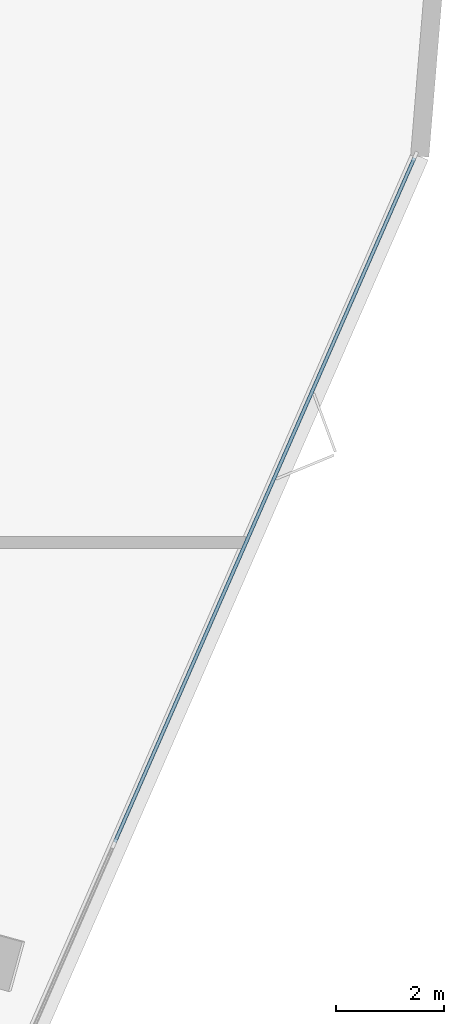
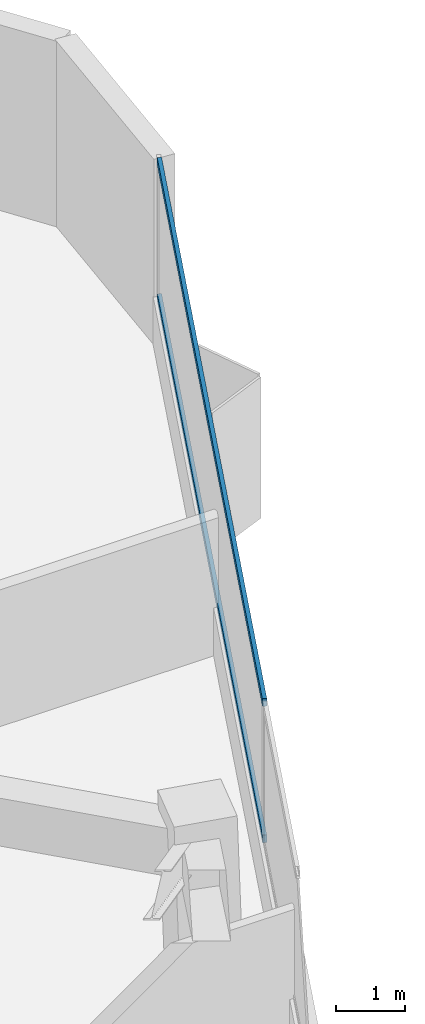
# One storey, part 11 of 20: 2 members, 1 element without a shape of its own.
"""IFC4 building model written with IfcOpenShell, lengths in metres."""

from ifc_helpers import new_model, si_unit, direction, frame, origin, origin_2d, place, context, subcontext, project, spatial, rectangle, extrude, material, layer, layer_set, material_profile, profile_set, type_object, element, aggregate, save


model = new_model("IFC4")

# Units and contexts
model_context = context("Model", 3, precision=1e-05, world=origin(), true_north=direction((0.0, 1.0)))
body_context = subcontext(model_context, "Body", "Model", "MODEL_VIEW")
ifc_project = project(units=[si_unit("LENGTHUNIT", "METRE"), si_unit("AREAUNIT", "SQUARE_METRE"), si_unit("VOLUMEUNIT", "CUBIC_METRE"), si_unit("PLANEANGLEUNIT", "RADIAN"), si_unit("MASSUNIT", "GRAM", prefix="KILO")], contexts=[model_context])

# Site, building, storey
site_placement = place(None, origin())
site = spatial("IfcSite", under=ifc_project, at=site_placement, CompositionType="ELEMENT")
building_placement = place(site_placement, origin())
building = spatial("IfcBuilding", under=site, at=building_placement, Name="Talyreon Biosciences Tower", CompositionType="ELEMENT")
storey_placement = place(building_placement, frame((0.0, 0.0, 62.949951171875)))
storey = spatial("IfcBuildingStorey", under=building, at=storey_placement, Name="L16", CompositionType="ELEMENT", Elevation=62.949951171875)

# Curtain wall, members
ifc_material_1 = material(Name="Thermally broken aluminium and low-E glazing", Category="aluminium")
ifc_layer = layer(ifc_material_1, 0.195068359375)
ifc_layer_set = layer_set([ifc_layer], Name="Thermally broken aluminium and low-E glazing")
curtain_wall_type = type_object("IfcCurtainWallType", Name="CurtainWall_Zone1WetLab", PredefinedType="NOTDEFINED", material=ifc_layer_set)
curtain_wall_placement = place(storey_placement, origin())
curtain_wall = element("IfcCurtainWall", 1, at=curtain_wall_placement, inside=storey, type_object=curtain_wall_type, Name="L16 Unitised Curtain Wall FCW-L16-08", PredefinedType="NOTDEFINED")
ifc_material_2 = material(Name="Anodised thermally broken aluminium", Category="aluminium")
ifc_material_profile = material_profile(ifc_material_2, rectangle(XDim=0.06494140625, YDim=0.139892578125, at=origin_2d()), Name="ALUM TRANSOM 65x140")
ifc_profile_set = profile_set([ifc_material_profile], Name="Anodised thermally broken aluminium")
member_type = type_object("IfcMemberType", Name="CWTransom_65x140", PredefinedType="USERDEFINED", material=ifc_profile_set)
member_1_placement = place(storey_placement, frame((98.579833984375, 84.141357421875, 0.842529296875), z_axis=(-0.400982781264, -0.916085590504, 0.0), x_axis=(0.916085590504, -0.400982781264, 0.0)))
member_1 = element("IfcMember", 2, at=member_1_placement, type_object=member_type, Name="CW2 transom 1.1", ObjectType="TRANSOM", PredefinedType="USERDEFINED", context=body_context, shape_type="SweptSolid", body=[
    extrude(rectangle(XDim=0.06494140625, YDim=0.139892578125, at=origin_2d()), origin(), (0.0, 0.0, 1.0), 13.826416015625),
])
member_2_placement = place(storey_placement, frame((98.579833984375, 84.141357421875, 3.267578125), z_axis=(-0.400982781264, -0.916085590504, 0.0), x_axis=(0.916085590504, -0.400982781264, 0.0)))
member_2 = element("IfcMember", 3, at=member_2_placement, type_object=member_type, Name="CW2 transom 1.2", ObjectType="TRANSOM", PredefinedType="USERDEFINED", context=body_context, shape_type="SweptSolid", body=[
    extrude(rectangle(XDim=0.06494140625, YDim=0.139892578125, at=origin_2d()), origin(), (0.0, 0.0, 1.0), 13.826416015625),
])
aggregate(curtain_wall, [member_1, member_2])

save(model, "model.ifc")
